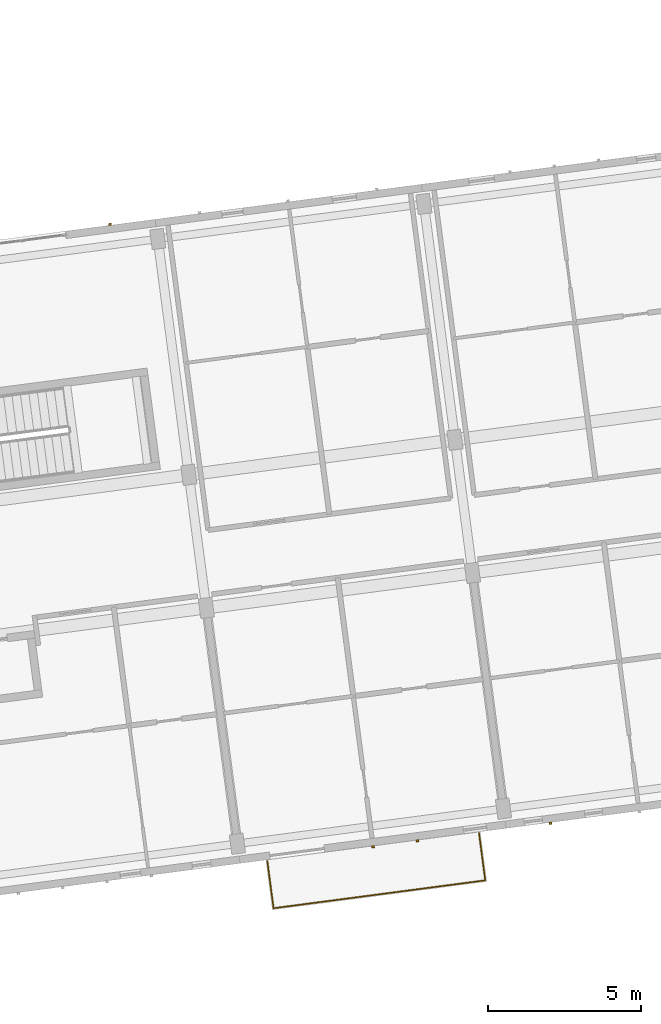
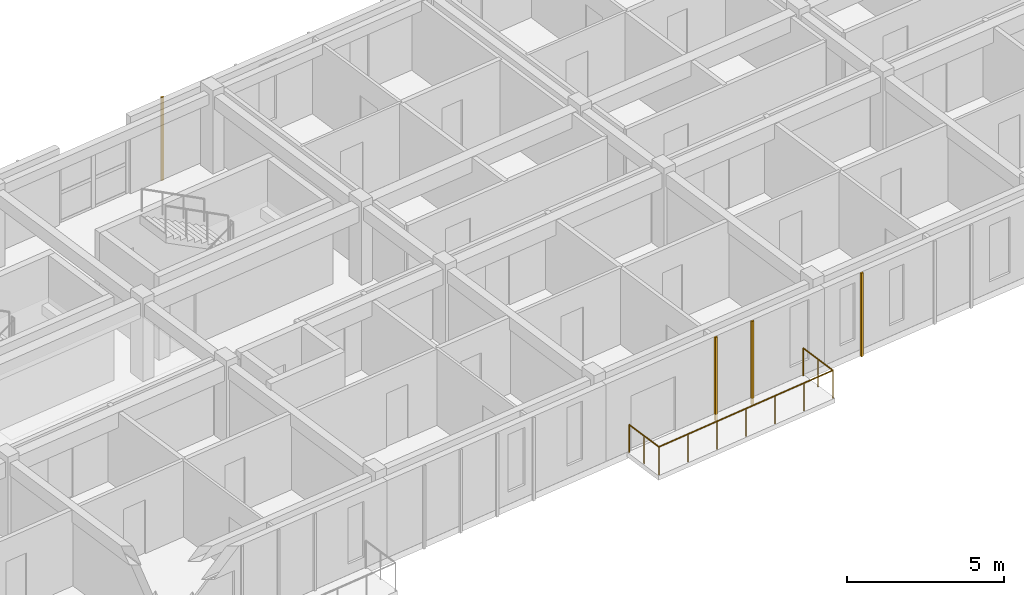
# One storey, part 24 of 31: 4 coverings, 1 railing.
"""IFC4 building model written with IfcOpenShell, lengths in metres."""

from ifc_helpers import new_model, si_unit, direction, frame, origin, origin_2d, place, context, subcontext, project, spatial, rectangle, circle, extrude, material, layer, layer_set, type_object, element, save


model = new_model("IFC4")

# Units and contexts
model_context = context("Model", 3, precision=1e-05, world=origin(), true_north=direction((0.0, 1.0)))
body_context = subcontext(model_context, "Body", "Model", "MODEL_VIEW")
ifc_project = project(units=[si_unit("LENGTHUNIT", "METRE"), si_unit("AREAUNIT", "SQUARE_METRE"), si_unit("VOLUMEUNIT", "CUBIC_METRE"), si_unit("PLANEANGLEUNIT", "RADIAN"), si_unit("MASSUNIT", "GRAM", prefix="KILO")], contexts=[model_context])

# Site, building, storey
site_placement = place(None, origin())
site = spatial("IfcSite", under=ifc_project, at=site_placement, CompositionType="ELEMENT")
building_placement = place(site_placement, origin())
building = spatial("IfcBuilding", under=site, at=building_placement, Name="Kestramere Prow Commons", CompositionType="ELEMENT")
storey_placement = place(building_placement, frame((0.0, 0.0, 37.64990234375)))
storey = spatial("IfcBuildingStorey", under=building, at=storey_placement, Name="L11", CompositionType="ELEMENT", Elevation=37.64990234375)

# Coverings
ifc_material_1 = material(Name="Weathered Zinc-Titanium Standing-Seam Cladding")
ifc_layer = layer(ifc_material_1, 0.074951171875)
ifc_layer_set = layer_set([ifc_layer], Name="Weathered Zinc-Titanium Standing-Seam Cladding")
covering_type = type_object("IfcCoveringType", Name="COV-CLAD-SEAM", PredefinedType="CLADDING", material=ifc_layer_set)
for number, where, z_axis, x_axis, name in (
    (1, (43.279052734375, 75.5400390625, -0.25), (0.0, 0.0, 1.0), (-0.991444861374, -0.13052619222, 0.0), "EW-A-L11-S-3 Standing-Seam Rib 2"),
    (2, (41.824951171875, 75.348388671875, -0.25), (0.0, 0.0, 1.0), (-0.991444861374, -0.13052619222, 0.0), "EW-A-L11-S-3 Standing-Seam Rib 3"),
    (3, (47.641357421875, 76.1142578125, -0.25), (0.0, 0.0, 1.0), (-0.991444861374, -0.13052619222, 0.0), "EW-A-L11-S-4 Standing-Seam Rib 5"),
    (4, (33.200439453125, 95.75244140625, -0.25), (0.0, 0.0, 1.0), (0.991444861374, 0.13052619222, 0.0), "EW-A-L11-NP-2-R Standing-Seam Rib 1"),
):
    element("IfcCovering", number, at=place(storey_placement, frame(where, z_axis=z_axis, x_axis=x_axis)), inside=storey, type_object=covering_type, Name=name, PredefinedType="CLADDING", context=body_context, shape_type="SweptSolid", body=[
        extrude(rectangle(XDim=0.0849609375, YDim=0.06494140625, at=origin_2d()), origin(), (0.0, 0.0, 1.0), 3.25),
    ])

# Railing
ifc_material_2 = material(Name="Powder-Coated Aluminium 6063-T6", Category="aluminium")
railing_type = type_object("IfcRailingType", Name="GRD-BALC-1100", PredefinedType="BALUSTRADE", material=ifc_material_2)
railing_placement = place(storey_placement, frame((38.3564453125, 74.879150390625, 0.0)))
element("IfcRailing", 5, at=railing_placement, inside=storey, type_object=railing_type, Name="Block A L11 Balcony Guardrail 4", PredefinedType="BALUSTRADE", context=body_context, shape_type="SweptSolid", body=[
    extrude(circle(Radius=0.02392578125, at=origin_2d()), frame((0.0, 0.0, 1.076171875), z_axis=(0.130523335136, -0.991445237512, 0.0), x_axis=(0.991445237512, 0.130523335136, 0.0)), (0.0, 0.0, 1.0), 1.56005859375),
    extrude(circle(Radius=0.02392578125, at=origin_2d()), frame((0.20361328125, -1.546630859375, 1.076171875), z_axis=(0.991442539299, 0.130543828916, 0.0), x_axis=(-0.130543828916, 0.991442539299, 0.0)), (0.0, 0.0, 1.0), 7.0),
    extrude(circle(Radius=0.02392578125, at=origin_2d()), frame((7.143798828125, -0.6328125, 1.076171875), z_axis=(-0.130523335136, 0.991445237512, 0.0), x_axis=(-0.991445237512, -0.130523335136, 0.0)), (0.0, 0.0, 1.0), 1.56005859375),
    extrude(circle(Radius=0.02099609375, at=origin_2d()), origin(), (0.0, 0.0, 1.0), 1.052001953125),
    extrude(circle(Radius=0.02099609375, at=origin_2d()), frame((0.101806640625, -0.7734375, 0.0)), (0.0, 0.0, 1.0), 1.052001953125),
    extrude(circle(Radius=0.02099609375, at=origin_2d()), frame((0.20361328125, -1.546630859375, 0.0)), (0.0, 0.0, 1.0), 1.052001953125),
    extrude(circle(Radius=0.02099609375, at=origin_2d()), frame((1.3603515625, -1.394287109375, 0.0)), (0.0, 0.0, 1.0), 1.052001953125),
    extrude(circle(Radius=0.02099609375, at=origin_2d()), frame((2.51708984375, -1.241943359375, 0.0)), (0.0, 0.0, 1.0), 1.052001953125),
    extrude(circle(Radius=0.02099609375, at=origin_2d()), frame((3.673828125, -1.08984375, 0.0)), (0.0, 0.0, 1.0), 1.052001953125),
    extrude(circle(Radius=0.02099609375, at=origin_2d()), frame((4.830322265625, -0.9375, 0.0)), (0.0, 0.0, 1.0), 1.052001953125),
    extrude(circle(Radius=0.02099609375, at=origin_2d()), frame((5.987060546875, -0.78515625, 0.0)), (0.0, 0.0, 1.0), 1.052001953125),
    extrude(circle(Radius=0.02099609375, at=origin_2d()), frame((7.143798828125, -0.6328125, 0.0)), (0.0, 0.0, 1.0), 1.052001953125),
    extrude(circle(Radius=0.02099609375, at=origin_2d()), frame((7.0419921875, 0.140625, 0.0)), (0.0, 0.0, 1.0), 1.052001953125),
    extrude(circle(Radius=0.02099609375, at=origin_2d()), frame((6.940185546875, 0.913818359375, 0.0)), (0.0, 0.0, 1.0), 1.052001953125),
])

save(model, "model.ifc")
